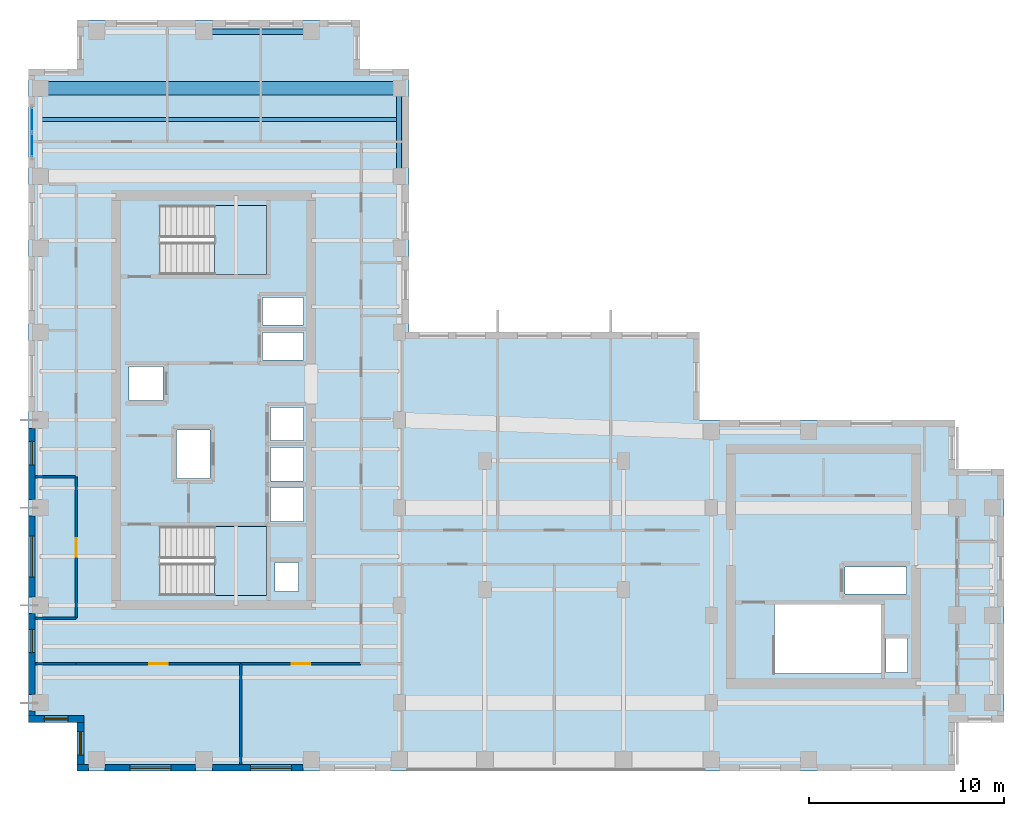
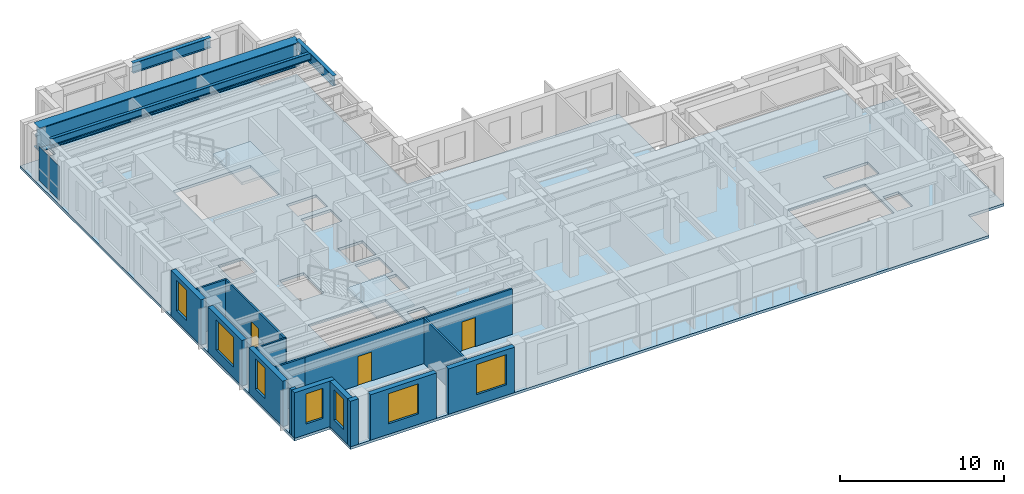
# One storey, part 5 of 13: 16 walls, 7 windows, 4 beams, 3 doors, 3 slabs, 2 plates, 10 openings, 3 elements without a shape of their own.
"""IFC4 building model written with IfcOpenShell, lengths in metres."""

from ifc_helpers import new_model, si_unit, direction, frame, frame_2d, origin, origin_2d, place, context, subcontext, project, spatial, polyline, rectangle, i_section, outline, extrude, source, transform, mapped, material, layer, layer_set, material_profile, profile_set, type_object, element, fill, aggregate, save


model = new_model("IFC4")

# Units and contexts
model_context = context("Model", 3, precision=1e-05, world=origin(), true_north=direction((0.0, 1.0)))
body_context = subcontext(model_context, "Body", "Model", "MODEL_VIEW")
ifc_project = project(units=[si_unit("LENGTHUNIT", "METRE"), si_unit("AREAUNIT", "SQUARE_METRE"), si_unit("VOLUMEUNIT", "CUBIC_METRE"), si_unit("PLANEANGLEUNIT", "RADIAN"), si_unit("MASSUNIT", "GRAM", prefix="KILO")], contexts=[model_context])

# Site, building, storey
site_placement = place(None, origin())
site = spatial("IfcSite", under=ifc_project, at=site_placement, CompositionType="ELEMENT")
building_placement = place(site_placement, origin())
building = spatial("IfcBuilding", under=site, at=building_placement, Name="Kharzan Plaza Tower", CompositionType="ELEMENT")
storey_placement = place(building_placement, frame((0.0, 0.0, 259.199951171875)))
storey = spatial("IfcBuildingStorey", under=building, at=storey_placement, Name="L70", CompositionType="ELEMENT", Elevation=259.199951171875)

# Beams
ifc_material_1 = material(Name="Steel S355", Category="steel")
ifc_material_profile_1 = material_profile(ifc_material_1, i_section(OverallWidth=0.2099609375, OverallDepth=0.537109375, WebThickness=0.010986328125, FlangeThickness=0.017333984375, at=origin_2d()), Name="W530x101")
ifc_profile_set_1 = profile_set([ifc_material_profile_1], Name="Steel S355")
beam_type_1 = type_object("IfcBeamType", Name="BM-JST530B", PredefinedType="JOIST", material=ifc_profile_set_1)
shared_shape_1 = source(origin(), body_context, "Body", "SweptSolid", [
    extrude(i_section(OverallWidth=0.2099609375, OverallDepth=0.537109375, WebThickness=0.010986328125, FlangeThickness=0.017333984375, at=origin_2d()), origin(), (0.0, 0.0, 1.0), 18.39990234375),
])
beam_1_placement = place(storey_placement, frame((0.60009765625, 33.39990234375, 3.131591796875), z_axis=(1.0, 0.0, 0.0), x_axis=(0.0, 1.0, 0.0)))
element("IfcBeam", 1, at=beam_1_placement, inside=storey, type_object=beam_type_1, Name="L70 Wing A Composite Joist 05", PredefinedType="JOIST", context=body_context, shape_type="MappedRepresentation", body=[
    mapped(shared_shape_1, transform((0.0, 0.0, 0.0), x_axis=(1.0, 0.0, 0.0), y_axis=(0.0, 1.0, 0.0), z_axis=(0.0, 0.0, 1.0))),
])
ifc_material_profile_2 = material_profile(ifc_material_1, i_section(OverallWidth=0.26708984375, OverallDepth=0.76611328125, WebThickness=0.014892578125, FlangeThickness=0.023681640625, at=origin_2d()), Name="W760x185")
ifc_profile_set_2 = profile_set([ifc_material_profile_2], Name="Steel S355")
beam_type_2 = type_object("IfcBeamType", Name="BM-SP760B", PredefinedType="SPANDREL", material=ifc_profile_set_2)
shared_shape_2 = source(origin(), body_context, "Body", "SweptSolid", [
    extrude(i_section(OverallWidth=0.26708984375, OverallDepth=0.76611328125, WebThickness=0.014892578125, FlangeThickness=0.023681640625, at=origin_2d()), origin(), (0.0, 0.0, 1.0), 4.5),
])
beam_2_placement = place(storey_placement, frame((19.0, 30.5, 3.01708984375), z_axis=(0.0, 1.0, 0.0), x_axis=(-1.0, 0.0, 0.0)))
element("IfcBeam", 2, at=beam_2_placement, inside=storey, type_object=beam_type_2, Name="L70 Perimeter Tube Spandrel", PredefinedType="SPANDREL", context=body_context, shape_type="MappedRepresentation", body=[
    mapped(shared_shape_2, transform((0.0, 0.0, 0.0), x_axis=(1.0, 0.0, 0.0), y_axis=(0.0, 1.0, 0.0), z_axis=(0.0, 0.0, 1.0))),
])
shared_shape_3 = source(origin(), body_context, "Body", "SweptSolid", [
    extrude(i_section(OverallWidth=0.26708984375, OverallDepth=0.76611328125, WebThickness=0.014892578125, FlangeThickness=0.023681640625, at=origin_2d()), origin(), (0.0, 0.0, 1.0), 5.5),
])
beam_3_placement = place(storey_placement, frame((9.0, 37.89990234375, 3.01708984375), z_axis=(1.0, 0.0, 0.0), x_axis=(0.0, 1.0, 0.0)))
element("IfcBeam", 3, at=beam_3_placement, inside=storey, type_object=beam_type_2, Name="L70 Perimeter Tube Spandrel", PredefinedType="SPANDREL", context=body_context, shape_type="MappedRepresentation", body=[
    mapped(shared_shape_3, transform((0.0, 0.0, 0.0), x_axis=(1.0, 0.0, 0.0), y_axis=(0.0, 1.0, 0.0), z_axis=(0.0, 0.0, 1.0))),
])
ifc_material_profile_3 = material_profile(ifc_material_1, i_section(OverallWidth=0.699951171875, OverallDepth=1.800048828125, WebThickness=0.035888671875, FlangeThickness=0.06005859375, at=origin_2d()), Name="PG1800x700")
ifc_profile_set_3 = profile_set([ifc_material_profile_3], Name="Steel S355")
beam_type_3 = type_object("IfcBeamType", Name="BM-TG1800", PredefinedType="BEAM", material=ifc_profile_set_3)
shared_shape_4 = source(origin(), body_context, "Body", "SweptSolid", [
    extrude(i_section(OverallWidth=0.699951171875, OverallDepth=1.800048828125, WebThickness=0.035888671875, FlangeThickness=0.06005859375, at=origin_2d()), origin(), (0.0, 0.0, 1.0), 18.39990234375),
])
beam_4_placement = place(storey_placement, frame((0.60009765625, 35.0, 2.5), z_axis=(1.0, 0.0, 0.0), x_axis=(0.0, 1.0, 0.0)))
element("IfcBeam", 4, at=beam_4_placement, inside=storey, type_object=beam_type_3, Name="L70 L70 Cap Tie Plate Girder TG2-4", PredefinedType="BEAM", context=body_context, shape_type="MappedRepresentation", body=[
    mapped(shared_shape_4, transform((0.0, 0.0, 0.0), x_axis=(1.0, 0.0, 0.0), y_axis=(0.0, 1.0, 0.0), z_axis=(0.0, 0.0, 1.0))),
])

# Slab
ifc_material_2 = material(Name="Concrete C40/50", Category="concrete")
ifc_layer_1 = layer(ifc_material_2, 0.199951171875)
ifc_layer_set_1 = layer_set([ifc_layer_1], Name="Concrete C40/50")
slab_type_1 = type_object("IfcSlabType", Name="SL-FLOOR-200", PredefinedType="FLOOR", material=ifc_layer_set_1)
slab_1_placement = place(storey_placement, frame((0.0, 0.0, -0.199951171875)))
element("IfcSlab", 5, at=slab_1_placement, inside=storey, type_object=slab_type_1, Name="L70 Composite Structural Floor Slab 200 mm", PredefinedType="FLOOR", context=body_context, shape_type="SweptSolid", body=[
    extrude(outline(polyline([(34.39990234375, 18.0), (34.39990234375, 22.5), (19.5, 22.5), (19.5, 36.0), (17.0, 36.0), (17.0, 38.5), (2.5, 38.5), (2.5, 36.0), (0.0, 36.0), (0.0, 2.5), (2.5, 2.5), (2.5, 0.0), (19.5, 0.0), (34.39990234375, 0.0), (47.5, 0.0), (47.5, 2.5), (50.0, 2.5), (50.0, 15.5), (47.5, 15.5), (47.5, 18.0), (34.39990234375, 18.0)]), holes=[polyline([(12.199951171875, 12.550048828125), (6.75, 12.550048828125), (6.75, 9.0), (12.199951171875, 9.0), (12.199951171875, 12.550048828125)]), polyline([(14.10009765625, 12.800048828125), (14.10009765625, 14.530029296875), (12.39990234375, 14.530029296875), (12.39990234375, 12.800048828125), (14.10009765625, 12.800048828125)]), polyline([(9.300048828125, 15.0), (9.300048828125, 17.5), (7.60009765625, 17.5), (7.60009765625, 15.0), (9.300048828125, 15.0)]), polyline([(6.89990234375, 20.72998046875), (5.14990234375, 20.72998046875), (5.14990234375, 19.010009765625), (6.89990234375, 19.010009765625), (6.89990234375, 20.72998046875)]), polyline([(14.10009765625, 21.070068359375), (14.10009765625, 22.489990234375), (12.0, 22.489990234375), (12.0, 21.070068359375), (14.10009765625, 21.070068359375)]), polyline([(14.10009765625, 22.8701171875), (14.10009765625, 24.2900390625), (12.0, 24.2900390625), (12.0, 22.8701171875), (14.10009765625, 22.8701171875)]), polyline([(12.199951171875, 29.0), (6.75, 29.0), (6.75, 25.449951171875), (12.199951171875, 25.449951171875), (12.199951171875, 29.0)]), polyline([(45.050048828125, 5.050048828125), (45.050048828125, 6.800048828125), (43.949951171875, 6.800048828125), (43.949951171875, 5.050048828125), (45.050048828125, 5.050048828125)]), polyline([(43.699951171875, 5.0), (43.699951171875, 8.550048828125), (38.25, 8.550048828125), (38.25, 5.0), (43.699951171875, 5.0)]), polyline([(45.0, 9.070068359375), (45.0, 10.469970703125), (41.85009765625, 10.469970703125), (41.85009765625, 9.070068359375), (45.0, 9.070068359375)]), polyline([(13.85009765625, 9.199951171875), (13.85009765625, 10.699951171875), (12.64990234375, 10.699951171875), (12.64990234375, 9.199951171875), (13.85009765625, 9.199951171875)]), polyline([(14.10009765625, 14.8701171875), (14.10009765625, 16.60009765625), (12.39990234375, 16.60009765625), (12.39990234375, 14.8701171875), (14.10009765625, 14.8701171875)]), polyline([(14.10009765625, 16.93994140625), (14.10009765625, 18.64990234375), (12.39990234375, 18.64990234375), (12.39990234375, 16.93994140625), (14.10009765625, 16.93994140625)])]), origin(), (0.0, 0.0, 1.0), 0.199951171875),
])

# Stair, slab
stair_type_1 = type_object("IfcStairType", Name="STR-ST-1", PredefinedType="HALF_TURN_STAIR", material=ifc_material_2)
stair_1_placement = place(storey_placement, origin())
stair_1 = element("IfcStair", 6, at=stair_1_placement, inside=storey, type_object=stair_type_1, Name="L70 Protected Exit Stair ST-1", PredefinedType="HALF_TURN_STAIR")
ifc_layer_2 = layer(ifc_material_2, 0.219970703125)
ifc_layer_set_2 = layer_set([ifc_layer_2], Name="Concrete C40/50")
slab_type_2 = type_object("IfcSlabType", Name="SL-LANDING-220", PredefinedType="LANDING", material=ifc_layer_set_2)
slab_2_placement = place(storey_placement, frame((0.0, 0.0, 1.60009765625)))
slab_2 = element("IfcSlab", 7, at=slab_2_placement, type_object=slab_type_2, Name="ST-1 landing 1", PredefinedType="LANDING", context=body_context, shape_type="SweptSolid", body=[
    extrude(outline(polyline([(9.550048828125, 9.0), (12.199951171875, 9.0), (12.199951171875, 12.550048828125), (9.550048828125, 12.550048828125), (9.550048828125, 9.0)])), origin(), (0.0, 0.0, 1.0), 0.199951171875),
])
aggregate(stair_1, [slab_2])

stair_type_2 = type_object("IfcStairType", Name="STR-ST-2", PredefinedType="HALF_TURN_STAIR", material=ifc_material_2)
stair_2_placement = place(storey_placement, origin())
stair_2 = element("IfcStair", 8, at=stair_2_placement, inside=storey, type_object=stair_type_2, Name="L70 Protected Exit Stair ST-2", PredefinedType="HALF_TURN_STAIR")
slab_3_placement = place(storey_placement, frame((0.0, 0.0, 1.60009765625)))
slab_3 = element("IfcSlab", 9, at=slab_3_placement, type_object=slab_type_2, Name="ST-2 landing 1", PredefinedType="LANDING", context=body_context, shape_type="SweptSolid", body=[
    extrude(outline(polyline([(9.550048828125, 25.449951171875), (12.199951171875, 25.449951171875), (12.199951171875, 29.0), (9.550048828125, 29.0), (9.550048828125, 25.449951171875)])), origin(), (0.0, 0.0, 1.0), 0.199951171875),
])
aggregate(stair_2, [slab_3])

# Curtain wall, plates
ifc_material_3 = material(Name="Unitised Bronze-Anodized Aluminium and Low-E Glass", Category="aluminium")
ifc_layer_3 = layer(ifc_material_3, 0.199951171875)
ifc_layer_set_3 = layer_set([ifc_layer_3], Name="Unitised Bronze-Anodized Aluminium and Low-E Glass")
curtain_wall_type = type_object("IfcCurtainWallType", Name="CW-EXEC-5", PredefinedType="NOTDEFINED", material=ifc_layer_set_3)
curtain_wall_placement = place(storey_placement, origin())
curtain_wall = element("IfcCurtainWall", 10, at=curtain_wall_placement, inside=storey, type_object=curtain_wall_type, Name="L70 Upper Executive Setback Panoramic Curtain Wall", PredefinedType="NOTDEFINED")
ifc_material_4 = material(Name="Dark Solar-Control Double Glazing", Category="glass")
ifc_layer_4 = layer(ifc_material_4, 0.031982421875)
ifc_layer_set_4 = layer_set([ifc_layer_4], Name="Dark Solar-Control Double Glazing")
plate_type = type_object("IfcPlateType", Name="PLT-CW-GLASS", PredefinedType="CURTAIN_PANEL", material=ifc_layer_set_4)
shared_shape_5 = source(origin(), body_context, "Body", "SweptSolid", [
    extrude(rectangle(XDim=1.179931640625, YDim=0.031982421875, at=origin_2d()), origin(), (0.0, 0.0, 1.0), 2.5400390625),
])
plate_1_placement = place(storey_placement, frame((0.179931640625, 32.10009765625, 0.080078125), z_axis=(0.0, 0.0, 1.0), x_axis=(0.0, 1.0, 0.0)))
plate_1 = element("IfcPlate", 11, at=plate_1_placement, type_object=plate_type, Name="L70 Curtain-Wall Glazed Panel 00", PredefinedType="CURTAIN_PANEL", context=body_context, shape_type="MappedRepresentation", body=[
    mapped(shared_shape_5, transform((0.0, 0.0, 0.0), x_axis=(1.0, 0.0, 0.0), y_axis=(0.0, 1.0, 0.0), z_axis=(0.0, 0.0, 1.0))),
])
plate_2_placement = place(storey_placement, frame((0.179931640625, 33.39990234375, 0.080078125), z_axis=(0.0, 0.0, 1.0), x_axis=(0.0, 1.0, 0.0)))
plate_2 = element("IfcPlate", 12, at=plate_2_placement, type_object=plate_type, Name="L70 Curtain-Wall Glazed Panel 01", PredefinedType="CURTAIN_PANEL", context=body_context, shape_type="MappedRepresentation", body=[
    mapped(shared_shape_5, transform((0.0, 0.0, 0.0), x_axis=(1.0, 0.0, 0.0), y_axis=(0.0, 1.0, 0.0), z_axis=(0.0, 0.0, 1.0))),
])
aggregate(curtain_wall, [plate_1, plate_2])

# Wall, opening, window
ifc_layer_5 = layer(ifc_material_2, 0.35009765625)
ifc_layer_set_5 = layer_set([ifc_layer_5], Name="Concrete C40/50")
wall_type_1 = type_object("IfcWallType", Name="WL-EXT-MAS-Z4", PredefinedType="SOLIDWALL", material=ifc_layer_set_5)
wall_1_placement = place(storey_placement, frame((0.175048828125, 17.576904296875, 0.0), z_axis=(0.0, 0.0, 1.0), x_axis=(0.0, -1.0, 0.0)))
wall_1 = element("IfcWall", 13, at=wall_1_placement, inside=storey, type_object=wall_type_1, Name="L70 Masonry-Frame Exterior Wall 20", PredefinedType="SOLIDWALL", context=body_context, shape_type="SweptSolid", body=[
    extrude(rectangle(XDim=3.65380859375, YDim=0.35009765625, at=frame_2d((1.826904296875, 0.0))), origin(), (0.0, 0.0, 1.0), 3.385009765625),
])
opening_1_placement = place(wall_1_placement, frame((0.673583984375, 0.0, 0.780029296875)))
opening_1 = element("IfcOpeningElement", 14, at=opening_1_placement, cuts=wall_1, Name="Opening W3", PredefinedType="OPENING", context=body_context, shape_type="SweptSolid", body=[
    extrude(rectangle(XDim=1.199951171875, YDim=2.25, at=frame_2d((0.60009765625, 1.125))), frame((0.0, 0.18505859375, 0.0), z_axis=(0.0, -1.0, 0.0), x_axis=(1.0, 0.0, 0.0)), (0.0, 0.0, 1.0), 0.3701171875),
])
ifc_material_5 = material(Name="Low-E Double Glazing", Category="glass")
window_type_1 = type_object("IfcWindowType", Name="WN-REC-1200x2100", PartitioningType="SINGLE_PANEL", PredefinedType="WINDOW", material=ifc_material_5)
shared_shape_6 = source(origin(), body_context, "Body", "SweptSolid", [
    extrude(rectangle(XDim=1.199951171875, YDim=2.25, at=frame_2d((0.60009765625, 1.125))), frame((0.0, 0.030029296875, 0.0), z_axis=(0.0, -1.0, 0.0), x_axis=(1.0, 0.0, 0.0)), (0.0, 0.0, 1.0), 0.06005859375),
])
window_1_placement = place(opening_1_placement, origin())
window_1 = element("IfcWindow", 15, at=window_1_placement, inside=storey, type_object=window_type_1, Name="L70 Recessed Solar-Control Window 20-1", OverallHeight=2.25, OverallWidth=1.199951171875, PartitioningType="SINGLE_PANEL", PredefinedType="WINDOW", context=body_context, shape_type="MappedRepresentation", body=[
    mapped(shared_shape_6, transform((0.0, 0.0, 0.0), x_axis=(1.0, 0.0, 0.0), y_axis=(0.0, 1.0, 0.0), z_axis=(0.0, 0.0, 1.0))),
])
fill(opening_1, window_1)

wall_2_placement = place(storey_placement, frame((0.175048828125, 13.076904296875, 0.0), z_axis=(0.0, 0.0, 1.0), x_axis=(0.0, -1.0, 0.0)))
wall_2 = element("IfcWall", 16, at=wall_2_placement, inside=storey, type_object=wall_type_1, Name="L70 Masonry-Frame Exterior Wall 21", PredefinedType="SOLIDWALL", context=body_context, shape_type="SweptSolid", body=[
    extrude(rectangle(XDim=4.15380859375, YDim=0.35009765625, at=frame_2d((2.076904296875, 0.0))), origin(), (0.0, 0.0, 1.0), 3.385009765625),
])
opening_2_placement = place(wall_2_placement, frame((1.027099609375, 0.0, 0.780029296875)))
opening_2 = element("IfcOpeningElement", 17, at=opening_2_placement, cuts=wall_2, Name="Opening W6", PredefinedType="OPENING", context=body_context, shape_type="SweptSolid", body=[
    extrude(rectangle(XDim=2.10009765625, YDim=2.25, at=frame_2d((1.050048828125, 1.125))), frame((0.0, 0.18505859375, 0.0), z_axis=(0.0, -1.0, 0.0), x_axis=(1.0, 0.0, 0.0)), (0.0, 0.0, 1.0), 0.3701171875),
])
window_type_2 = type_object("IfcWindowType", Name="WN-EXEC-2100x2250", PartitioningType="SINGLE_PANEL", PredefinedType="WINDOW", material=ifc_material_5)
shared_shape_7 = source(origin(), body_context, "Body", "SweptSolid", [
    extrude(rectangle(XDim=2.10009765625, YDim=2.25, at=frame_2d((1.050048828125, 1.125))), frame((0.0, 0.030029296875, 0.0), z_axis=(0.0, -1.0, 0.0), x_axis=(1.0, 0.0, 0.0)), (0.0, 0.0, 1.0), 0.06005859375),
])
window_2_placement = place(opening_2_placement, origin())
window_2 = element("IfcWindow", 18, at=window_2_placement, inside=storey, type_object=window_type_2, Name="L70 Recessed Solar-Control Window 21-1", OverallHeight=2.25, OverallWidth=2.10009765625, PartitioningType="SINGLE_PANEL", PredefinedType="WINDOW", context=body_context, shape_type="MappedRepresentation", body=[
    mapped(shared_shape_7, transform((0.0, 0.0, 0.0), x_axis=(1.0, 0.0, 0.0), y_axis=(0.0, 1.0, 0.0), z_axis=(0.0, 0.0, 1.0))),
])
fill(opening_2, window_2)

wall_3_placement = place(storey_placement, frame((0.175048828125, 8.076904296875, 0.0), z_axis=(0.0, 0.0, 1.0), x_axis=(0.0, -1.0, 0.0)))
wall_3 = element("IfcWall", 19, at=wall_3_placement, inside=storey, type_object=wall_type_1, Name="L70 Masonry-Frame Exterior Wall 22", PredefinedType="SOLIDWALL", context=body_context, shape_type="SweptSolid", body=[
    extrude(rectangle(XDim=4.15380859375, YDim=0.35009765625, at=frame_2d((2.076904296875, 0.0))), origin(), (0.0, 0.0, 1.0), 3.385009765625),
])
opening_3_placement = place(wall_3_placement, frame((0.802001953125, 0.0, 0.780029296875)))
opening_3 = element("IfcOpeningElement", 20, at=opening_3_placement, cuts=wall_3, Name="Opening W3", PredefinedType="OPENING", context=body_context, shape_type="SweptSolid", body=[
    extrude(rectangle(XDim=1.199951171875, YDim=2.25, at=frame_2d((0.60009765625, 1.125))), frame((0.0, 0.18505859375, 0.0), z_axis=(0.0, -1.0, 0.0), x_axis=(1.0, 0.0, 0.0)), (0.0, 0.0, 1.0), 0.3701171875),
])
window_3_placement = place(opening_3_placement, origin())
window_3 = element("IfcWindow", 21, at=window_3_placement, inside=storey, type_object=window_type_1, Name="L70 Recessed Solar-Control Window 22-1", OverallHeight=2.25, OverallWidth=1.199951171875, PartitioningType="SINGLE_PANEL", PredefinedType="WINDOW", context=body_context, shape_type="MappedRepresentation", body=[
    mapped(shared_shape_6, transform((0.0, 0.0, 0.0), x_axis=(1.0, 0.0, 0.0), y_axis=(0.0, 1.0, 0.0), z_axis=(0.0, 0.0, 1.0))),
])
fill(opening_3, window_3)

wall_4_placement = place(storey_placement, frame((0.0, 2.675048828125, 0.0), z_axis=(0.0, 0.0, 1.0), x_axis=(1.0, 0.0, 0.0)))
wall_4 = element("IfcWall", 22, at=wall_4_placement, inside=storey, type_object=wall_type_1, Name="L70 Masonry-Frame Exterior Wall 24", PredefinedType="SOLIDWALL", context=body_context, shape_type="SweptSolid", body=[
    extrude(rectangle(XDim=2.85009765625, YDim=0.35009765625, at=frame_2d((1.425048828125, 0.0))), origin(), (0.0, 0.0, 1.0), 3.385009765625),
])
opening_4_placement = place(wall_4_placement, frame((0.824951171875, 0.0, 0.780029296875)))
opening_4 = element("IfcOpeningElement", 23, at=opening_4_placement, cuts=wall_4, Name="Opening W3", PredefinedType="OPENING", context=body_context, shape_type="SweptSolid", body=[
    extrude(rectangle(XDim=1.199951171875, YDim=2.25, at=frame_2d((0.60009765625, 1.125))), frame((0.0, 0.18505859375, 0.0), z_axis=(0.0, -1.0, 0.0), x_axis=(1.0, 0.0, 0.0)), (0.0, 0.0, 1.0), 0.3701171875),
])
window_4_placement = place(opening_4_placement, origin())
window_4 = element("IfcWindow", 24, at=window_4_placement, inside=storey, type_object=window_type_1, Name="L70 Recessed Solar-Control Window 24-1", OverallHeight=2.25, OverallWidth=1.199951171875, PartitioningType="SINGLE_PANEL", PredefinedType="WINDOW", context=body_context, shape_type="MappedRepresentation", body=[
    mapped(shared_shape_6, transform((0.0, 0.0, 0.0), x_axis=(1.0, 0.0, 0.0), y_axis=(0.0, 1.0, 0.0), z_axis=(0.0, 0.0, 1.0))),
])
fill(opening_4, window_4)

wall_5_placement = place(storey_placement, frame((2.675048828125, 2.501953125, 0.0), z_axis=(0.0, 0.0, 1.0), x_axis=(0.0, -1.0, 0.0)))
wall_5 = element("IfcWall", 25, at=wall_5_placement, inside=storey, type_object=wall_type_1, Name="L70 Masonry-Frame Exterior Wall 25", PredefinedType="SOLIDWALL", context=body_context, shape_type="SweptSolid", body=[
    extrude(rectangle(XDim=2.154052734375, YDim=0.35009765625, at=frame_2d((1.0771484375, 0.0))), origin(), (0.0, 0.0, 1.0), 3.385009765625),
])
opening_5_placement = place(wall_5_placement, frame((0.47705078125, 0.0, 0.780029296875)))
opening_5 = element("IfcOpeningElement", 26, at=opening_5_placement, cuts=wall_5, Name="Opening W3", PredefinedType="OPENING", context=body_context, shape_type="SweptSolid", body=[
    extrude(rectangle(XDim=1.199951171875, YDim=2.25, at=frame_2d((0.60009765625, 1.125))), frame((0.0, 0.18505859375, 0.0), z_axis=(0.0, -1.0, 0.0), x_axis=(1.0, 0.0, 0.0)), (0.0, 0.0, 1.0), 0.3701171875),
])
window_5_placement = place(opening_5_placement, origin())
window_5 = element("IfcWindow", 27, at=window_5_placement, inside=storey, type_object=window_type_1, Name="L70 Recessed Solar-Control Window 25-1", OverallHeight=2.25, OverallWidth=1.199951171875, PartitioningType="SINGLE_PANEL", PredefinedType="WINDOW", context=body_context, shape_type="MappedRepresentation", body=[
    mapped(shared_shape_6, transform((0.0, 0.0, 0.0), x_axis=(1.0, 0.0, 0.0), y_axis=(0.0, 1.0, 0.0), z_axis=(0.0, 0.0, 1.0))),
])
fill(opening_5, window_5)

wall_6_placement = place(storey_placement, frame((3.923095703125, 0.175048828125, 0.0), z_axis=(0.0, 0.0, 1.0), x_axis=(1.0, 0.0, 0.0)))
wall_6 = element("IfcWall", 28, at=wall_6_placement, inside=storey, type_object=wall_type_1, Name="L70 Masonry-Frame Exterior Wall 27", PredefinedType="SOLIDWALL", context=body_context, shape_type="SweptSolid", body=[
    extrude(rectangle(XDim=4.65380859375, YDim=0.35009765625, at=frame_2d((2.326904296875, 0.0))), origin(), (0.0, 0.0, 1.0), 3.385009765625),
])
opening_6_placement = place(wall_6_placement, frame((1.277099609375, 0.0, 0.780029296875)))
opening_6 = element("IfcOpeningElement", 29, at=opening_6_placement, cuts=wall_6, Name="Opening W6", PredefinedType="OPENING", context=body_context, shape_type="SweptSolid", body=[
    extrude(rectangle(XDim=2.10009765625, YDim=2.25, at=frame_2d((1.050048828125, 1.125))), frame((0.0, 0.18505859375, 0.0), z_axis=(0.0, -1.0, 0.0), x_axis=(1.0, 0.0, 0.0)), (0.0, 0.0, 1.0), 0.3701171875),
])
window_6_placement = place(opening_6_placement, origin())
window_6 = element("IfcWindow", 30, at=window_6_placement, inside=storey, type_object=window_type_2, Name="L70 Recessed Solar-Control Window 27-1", OverallHeight=2.25, OverallWidth=2.10009765625, PartitioningType="SINGLE_PANEL", PredefinedType="WINDOW", context=body_context, shape_type="MappedRepresentation", body=[
    mapped(shared_shape_7, transform((0.0, 0.0, 0.0), x_axis=(1.0, 0.0, 0.0), y_axis=(0.0, 1.0, 0.0), z_axis=(0.0, 0.0, 1.0))),
])
fill(opening_6, window_6)

wall_7_placement = place(storey_placement, frame((9.423095703125, 0.175048828125, 0.0), z_axis=(0.0, 0.0, 1.0), x_axis=(1.0, 0.0, 0.0)))
wall_7 = element("IfcWall", 31, at=wall_7_placement, inside=storey, type_object=wall_type_1, Name="L70 Masonry-Frame Exterior Wall 28", PredefinedType="SOLIDWALL", context=body_context, shape_type="SweptSolid", body=[
    extrude(rectangle(XDim=4.65380859375, YDim=0.35009765625, at=frame_2d((2.326904296875, 0.0))), origin(), (0.0, 0.0, 1.0), 3.385009765625),
])
opening_7_placement = place(wall_7_placement, frame((1.968017578125, 0.0, 0.780029296875)))
opening_7 = element("IfcOpeningElement", 32, at=opening_7_placement, cuts=wall_7, Name="Opening W6", PredefinedType="OPENING", context=body_context, shape_type="SweptSolid", body=[
    extrude(rectangle(XDim=2.10009765625, YDim=2.25, at=frame_2d((1.050048828125, 1.125))), frame((0.0, 0.18505859375, 0.0), z_axis=(0.0, -1.0, 0.0), x_axis=(1.0, 0.0, 0.0)), (0.0, 0.0, 1.0), 0.3701171875),
])
window_7_placement = place(opening_7_placement, origin())
window_7 = element("IfcWindow", 33, at=window_7_placement, inside=storey, type_object=window_type_2, Name="L70 Recessed Solar-Control Window 28-1", OverallHeight=2.25, OverallWidth=2.10009765625, PartitioningType="SINGLE_PANEL", PredefinedType="WINDOW", context=body_context, shape_type="MappedRepresentation", body=[
    mapped(shared_shape_7, transform((0.0, 0.0, 0.0), x_axis=(1.0, 0.0, 0.0), y_axis=(0.0, 1.0, 0.0), z_axis=(0.0, 0.0, 1.0))),
])
fill(opening_7, window_7)

# Wall, opening, door
ifc_material_6 = material(Name="Fire-Rated Gypsum Board Partition", Category="gypsum")
ifc_layer_6 = layer(ifc_material_6, 0.125)
ifc_layer_set_6 = layer_set([ifc_layer_6], Name="Fire-Rated Gypsum Board Partition")
wall_type_2 = type_object("IfcWallType", Name="WL-INT-PART-125", PredefinedType="PARTITIONING", material=ifc_layer_set_6)
wall_8_placement = place(storey_placement, frame((2.449951171875, 5.5, 0.0), z_axis=(0.0, 0.0, 1.0), x_axis=(1.0, 0.0, 0.0)))
wall_8 = element("IfcWall", 34, at=wall_8_placement, inside=storey, type_object=wall_type_2, Name="L70 Interior Partition SH-SS-1", PredefinedType="PARTITIONING", context=body_context, shape_type="SweptSolid", body=[
    extrude(rectangle(XDim=8.425048828125, YDim=0.125, at=frame_2d((4.21240234375, 0.0))), origin(), (0.0, 0.0, 1.0), 3.385009765625),
])
opening_8_placement = place(wall_8_placement, frame((3.737548828125, 0.0, 0.0)))
opening_8 = element("IfcOpeningElement", 35, at=opening_8_placement, cuts=wall_8, Name="Opening OD1", PredefinedType="OPENING", context=body_context, shape_type="SweptSolid", body=[
    extrude(rectangle(XDim=0.949951171875, YDim=2.14990234375, at=frame_2d((0.47509765625, 1.074951171875))), frame((0.0, 0.072509765625, 0.0), z_axis=(0.0, -1.0, 0.0), x_axis=(1.0, 0.0, 0.0)), (0.0, 0.0, 1.0), 0.14501953125),
])
ifc_material_7 = material(Name="Acoustic Solid-Core Stained Oak", Category="timber")
door_type = type_object("IfcDoorType", Name="DR-OFF-SINGLE", OperationType="NOTDEFINED", PredefinedType="DOOR", material=ifc_material_7)
shared_shape_8 = source(origin(), body_context, "Body", "SweptSolid", [
    extrude(rectangle(XDim=0.949951171875, YDim=2.14990234375, at=frame_2d((0.47509765625, 1.074951171875))), frame((0.0, 0.02490234375, 0.0), z_axis=(0.0, -1.0, 0.0), x_axis=(1.0, 0.0, 0.0)), (0.0, 0.0, 1.0), 0.050048828125),
])
door_1_placement = place(opening_8_placement, origin())
door_1 = element("IfcDoor", 36, at=door_1_placement, inside=storey, type_object=door_type, Name="L70 Executive Boardroom Door", OperationType="SINGLE_SWING_LEFT", OverallHeight=2.14990234375, OverallWidth=0.949951171875, PredefinedType="DOOR", context=body_context, shape_type="MappedRepresentation", body=[
    mapped(shared_shape_8, transform((0.0, 0.0, 0.0), x_axis=(1.0, 0.0, 0.0), y_axis=(0.0, 1.0, 0.0), z_axis=(0.0, 0.0, 1.0))),
])
fill(opening_8, door_1)

wall_9_placement = place(storey_placement, frame((10.875, 5.5, 0.0), z_axis=(0.0, 0.0, 1.0), x_axis=(1.0, 0.0, 0.0)))
wall_9 = element("IfcWall", 37, at=wall_9_placement, inside=storey, type_object=wall_type_2, Name="L70 Interior Partition SH-SS-2", PredefinedType="PARTITIONING", context=body_context, shape_type="SweptSolid", body=[
    extrude(rectangle(XDim=6.175048828125, YDim=0.125, at=frame_2d((3.08740234375, 0.0))), origin(), (0.0, 0.0, 1.0), 3.385009765625),
])
opening_9_placement = place(wall_9_placement, frame((2.612548828125, 0.0, 0.0)))
opening_9 = element("IfcOpeningElement", 38, at=opening_9_placement, cuts=wall_9, Name="Opening OD1", PredefinedType="OPENING", context=body_context, shape_type="SweptSolid", body=[
    extrude(rectangle(XDim=0.949951171875, YDim=2.14990234375, at=frame_2d((0.47509765625, 1.074951171875))), frame((0.0, 0.072509765625, 0.0), z_axis=(0.0, -1.0, 0.0), x_axis=(1.0, 0.0, 0.0)), (0.0, 0.0, 1.0), 0.14501953125),
])
door_2_placement = place(opening_9_placement, origin())
door_2 = element("IfcDoor", 39, at=door_2_placement, inside=storey, type_object=door_type, Name="L70 Staff Tea Pantry Door", OperationType="SINGLE_SWING_RIGHT", OverallHeight=2.14990234375, OverallWidth=0.949951171875, PredefinedType="DOOR", context=body_context, shape_type="MappedRepresentation", body=[
    mapped(shared_shape_8, transform((0.0, 0.0, 0.0), x_axis=(1.0, 0.0, 0.0), y_axis=(0.0, 1.0, 0.0), z_axis=(0.0, 0.0, 1.0))),
])
fill(opening_9, door_2)

wall_10_placement = place(storey_placement, frame((2.449951171875, 7.85009765625, 0.0), z_axis=(0.0, 0.0, 1.0), x_axis=(0.0, 1.0, 0.0)))
wall_10 = element("IfcWall", 40, at=wall_10_placement, inside=storey, type_object=wall_type_2, Name="L70 Interior Partition SH-WW-1", PredefinedType="PARTITIONING", context=body_context, shape_type="SweptSolid", body=[
    extrude(rectangle(XDim=7.25, YDim=0.125, at=frame_2d((3.625, 0.0))), origin(), (0.0, 0.0, 1.0), 3.385009765625),
])
opening_10_placement = place(wall_10_placement, frame((3.14990234375, 0.0, 0.0)))
opening_10 = element("IfcOpeningElement", 41, at=opening_10_placement, cuts=wall_10, Name="Opening OD1", PredefinedType="OPENING", context=body_context, shape_type="SweptSolid", body=[
    extrude(rectangle(XDim=0.949951171875, YDim=2.14990234375, at=frame_2d((0.47509765625, 1.074951171875))), frame((0.0, 0.072509765625, 0.0), z_axis=(0.0, -1.0, 0.0), x_axis=(1.0, 0.0, 0.0)), (0.0, 0.0, 1.0), 0.14501953125),
])
door_3_placement = place(opening_10_placement, origin())
door_3 = element("IfcDoor", 42, at=door_3_placement, inside=storey, type_object=door_type, Name="L70 Conference Room Door", OperationType="SINGLE_SWING_RIGHT", OverallHeight=2.14990234375, OverallWidth=0.949951171875, PredefinedType="DOOR", context=body_context, shape_type="MappedRepresentation", body=[
    mapped(shared_shape_8, transform((0.0, 0.0, 0.0), x_axis=(1.0, 0.0, 0.0), y_axis=(0.0, 1.0, 0.0), z_axis=(0.0, 0.0, 1.0))),
])
fill(opening_10, door_3)

# Walls
shared_shape_9 = source(origin(), body_context, "Body", "SweptSolid", [
    extrude(rectangle(XDim=2.097900390625, YDim=0.125, at=frame_2d((1.048828125, 0.0))), origin(), (0.0, 0.0, 1.0), 3.385009765625),
])
for number, where, z_axis, x_axis, name in (
    (43, (0.35205078125, 7.85009765625, 0.0), (0.0, 0.0, 1.0), (1.0, 0.0, 0.0), "L70 Interior Partition SH-RWS0"),
    (44, (0.35205078125, 5.5, 0.0), (0.0, 0.0, 1.0), (1.0, 0.0, 0.0), "L70 Interior Partition SH-SS-EXT"),
    (45, (0.35205078125, 15.10009765625, 0.0), (0.0, 0.0, 1.0), (1.0, 0.0, 0.0), "L70 Interior Partition SH-WH-1"),
):
    element("IfcWall", number, at=place(storey_placement, frame(where, z_axis=z_axis, x_axis=x_axis)), inside=storey, type_object=wall_type_2, Name=name, PredefinedType="PARTITIONING", context=body_context, shape_type="MappedRepresentation", body=[
        mapped(shared_shape_9, transform((0.0, 0.0, 0.0), x_axis=(1.0, 0.0, 0.0), y_axis=(0.0, 1.0, 0.0), z_axis=(0.0, 0.0, 1.0))),
    ])
shared_shape_10 = source(origin(), body_context, "Body", "SweptSolid", [
    extrude(rectangle(XDim=0.576904296875, YDim=0.35009765625, at=frame_2d((0.28857421875, 0.0))), origin(), (0.0, 0.0, 1.0), 3.385009765625),
])
wall_11_placement = place(storey_placement, frame((2.5, 0.175048828125, 0.0), z_axis=(0.0, 0.0, 1.0), x_axis=(1.0, 0.0, 0.0)))
element("IfcWall", 46, at=wall_11_placement, inside=storey, type_object=wall_type_1, Name="L70 Masonry-Frame Exterior Wall 26", PredefinedType="SOLIDWALL", context=body_context, shape_type="MappedRepresentation", body=[
    mapped(shared_shape_10, transform((0.0, 0.0, 0.0), x_axis=(1.0, 0.0, 0.0), y_axis=(0.0, 1.0, 0.0), z_axis=(0.0, 0.0, 1.0))),
])
shared_shape_11 = source(origin(), body_context, "Body", "SweptSolid", [
    extrude(rectangle(XDim=0.22900390625, YDim=0.35009765625, at=frame_2d((0.114501953125, 0.0))), origin(), (0.0, 0.0, 1.0), 3.385009765625),
])
wall_12_placement = place(storey_placement, frame((0.175048828125, 3.076904296875, 0.0), z_axis=(0.0, 0.0, 1.0), x_axis=(0.0, -1.0, 0.0)))
element("IfcWall", 47, at=wall_12_placement, inside=storey, type_object=wall_type_1, Name="L70 Masonry-Frame Exterior Wall 23", PredefinedType="SOLIDWALL", context=body_context, shape_type="MappedRepresentation", body=[
    mapped(shared_shape_11, transform((0.0, 0.0, 0.0), x_axis=(1.0, 0.0, 0.0), y_axis=(0.0, 1.0, 0.0), z_axis=(0.0, 0.0, 1.0))),
])
shared_shape_12 = source(origin(), body_context, "Body", "SweptSolid", [
    extrude(rectangle(XDim=5.14794921875, YDim=0.125, at=frame_2d((2.573974609375, 0.0))), origin(), (0.0, 0.0, 1.0), 3.385009765625),
])
wall_13_placement = place(storey_placement, frame((10.875, 0.35205078125, 0.0), z_axis=(0.0, 0.0, 1.0), x_axis=(0.0, 1.0, 0.0)))
element("IfcWall", 48, at=wall_13_placement, inside=storey, type_object=wall_type_2, Name="L70 Interior Partition SH-SV-1", PredefinedType="PARTITIONING", context=body_context, shape_type="MappedRepresentation", body=[
    mapped(shared_shape_12, transform((0.0, 0.0, 0.0), x_axis=(1.0, 0.0, 0.0), y_axis=(0.0, 1.0, 0.0), z_axis=(0.0, 0.0, 1.0))),
])

save(model, "model.ifc")
